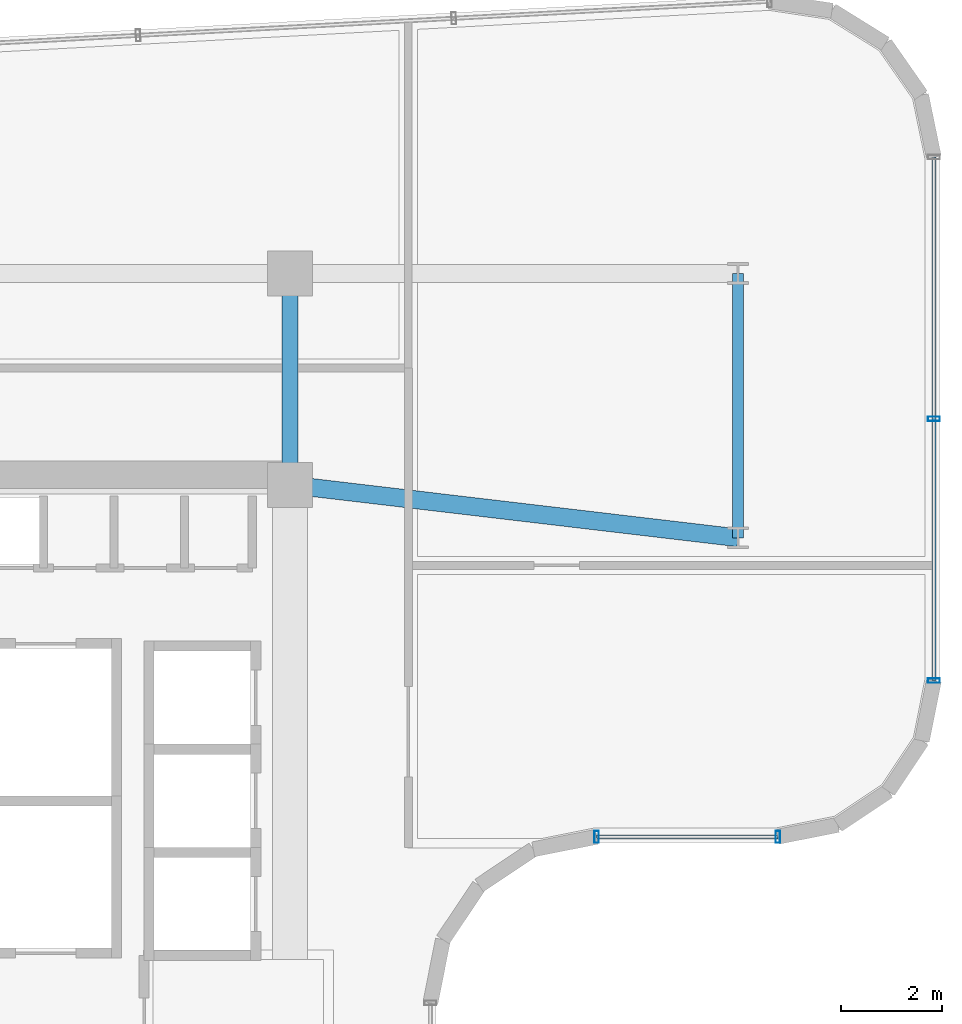
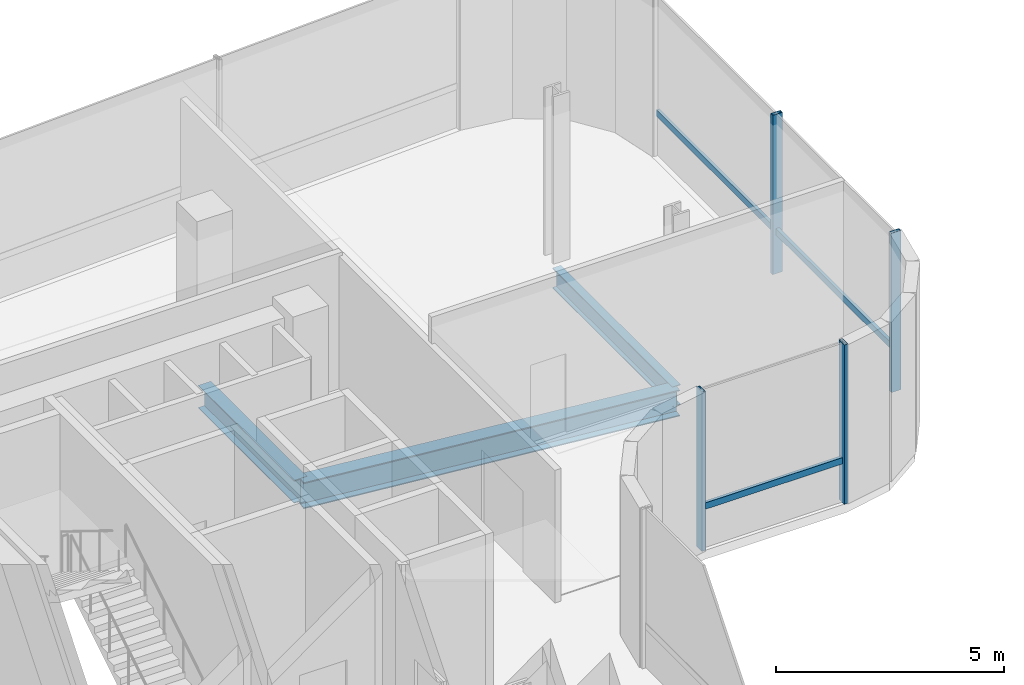
# One storey, part 8 of 17: 6 members, 3 beams, 2 elements without a shape of their own.
"""IFC4 building model written with IfcOpenShell, lengths in metres."""

from ifc_helpers import new_model, si_unit, direction, frame, origin, origin_2d, place, context, subcontext, project, spatial, hollow_rectangle, i_section, extrude, source, transform, mapped, material, material_profile, profile_set, type_object, element, aggregate, save


model = new_model("IFC4")

# Units and contexts
model_context = context("Model", 3, precision=1e-05, world=origin(), true_north=direction((0.0, 1.0)))
body_context = subcontext(model_context, "Body", "Model", "MODEL_VIEW")
ifc_project = project(units=[si_unit("LENGTHUNIT", "METRE"), si_unit("AREAUNIT", "SQUARE_METRE"), si_unit("VOLUMEUNIT", "CUBIC_METRE"), si_unit("PLANEANGLEUNIT", "RADIAN"), si_unit("MASSUNIT", "GRAM", prefix="KILO")], contexts=[model_context])

# Site, building, storey
site_placement = place(None, origin())
site = spatial("IfcSite", under=ifc_project, at=site_placement, CompositionType="ELEMENT")
building_placement = place(site_placement, origin())
building = spatial("IfcBuilding", under=site, at=building_placement, Name="Valdorenza Pilgrim Sanctuary Tower", CompositionType="ELEMENT")
storey_placement = place(building_placement, frame((0.0, 0.0, 201.0)))
storey = spatial("IfcBuildingStorey", under=building, at=storey_placement, Name="L51", CompositionType="ELEMENT", Elevation=201.0)

# Beams
ifc_material_1 = material(Name="Steel ASTM A992 Grade 50", Category="steel")
ifc_material_profile_1 = material_profile(ifc_material_1, i_section(OverallWidth=0.323974609375, OverallDepth=0.611083984375, WebThickness=0.0126953125, FlangeThickness=0.01904296875, at=origin_2d()), Name="W24X104")
ifc_profile_set_1 = profile_set([ifc_material_profile_1], Name="Steel ASTM A992 Grade 50")
beam_type_1 = type_object("IfcBeamType", Name="STR-BM-GRD-W24B", PredefinedType="BEAM", material=ifc_profile_set_1)
shared_shape_1 = source(origin(), body_context, "Body", "SweptSolid", [
    extrude(i_section(OverallWidth=0.323974609375, OverallDepth=0.611083984375, WebThickness=0.0126953125, FlangeThickness=0.01904296875, at=origin_2d()), origin(), (0.0, 0.0, 1.0), 4.199951171875),
])
beam_1_placement = place(storey_placement, frame((-12.39990234375, 10.60009765625, -0.54541015625), z_axis=(0.0, 1.0, 0.0), x_axis=(-1.0, 0.0, 0.0)))
element("IfcBeam", 1, at=beam_1_placement, inside=storey, type_object=beam_type_1, Name="L51 Core Tie Girder CA-E-N1N2", PredefinedType="BEAM", context=body_context, shape_type="MappedRepresentation", body=[
    mapped(shared_shape_1, transform((0.0, 0.0, 0.0), x_axis=(1.0, 0.0, 0.0), y_axis=(0.0, 1.0, 0.0), z_axis=(0.0, 0.0, 1.0), scale=1.0)),
])
ifc_material_profile_2 = material_profile(ifc_material_1, i_section(OverallWidth=0.2109375, OverallDepth=0.5390625, WebThickness=0.01171875, FlangeThickness=0.018798828125, at=origin_2d()), Name="W21X73")
ifc_profile_set_2 = profile_set([ifc_material_profile_2], Name="Steel ASTM A992 Grade 50")
beam_type_2 = type_object("IfcBeamType", Name="STR-BM-SPN-W21B", PredefinedType="SPANDREL", material=ifc_profile_set_2)
shared_shape_2 = source(origin(), body_context, "Body", "SweptSolid", [
    extrude(i_section(OverallWidth=0.2109375, OverallDepth=0.5390625, WebThickness=0.01171875, FlangeThickness=0.018798828125, at=origin_2d()), origin(), (0.0, 0.0, 1.0), 5.25),
])
beam_2_placement = place(storey_placement, frame((-3.5, 9.550048828125, -0.509521484375), z_axis=(0.0, 1.0, 0.0), x_axis=(-1.0, 0.0, 0.0)))
element("IfcBeam", 2, at=beam_2_placement, inside=storey, type_object=beam_type_2, Name="L51 Floor Girder UWA-KTIE", PredefinedType="SPANDREL", context=body_context, shape_type="MappedRepresentation", body=[
    mapped(shared_shape_2, transform((0.0, 0.0, 0.0), x_axis=(1.0, 0.0, 0.0), y_axis=(0.0, 1.0, 0.0), z_axis=(0.0, 0.0, 1.0), scale=1.0)),
])
ifc_material_profile_3 = material_profile(ifc_material_1, i_section(OverallWidth=0.35595703125, OverallDepth=0.700927734375, WebThickness=0.016845703125, FlangeThickness=0.02734375, at=origin_2d()), Name="W27X161")
ifc_profile_set_3 = profile_set([ifc_material_profile_3], Name="Steel ASTM A992 Grade 50")
beam_type_3 = type_object("IfcBeamType", Name="STR-BM-GRD-W27", PredefinedType="BEAM", material=ifc_profile_set_3)
shared_shape_3 = source(origin(), body_context, "Body", "SweptSolid", [
    extrude(i_section(OverallWidth=0.35595703125, OverallDepth=0.700927734375, WebThickness=0.016845703125, FlangeThickness=0.02734375, at=origin_2d()), origin(), (0.0, 0.0, 1.0), 8.961669921875),
])
beam_3_placement = place(storey_placement, frame((-12.39990234375, 10.60009765625, -0.590576171875), z_axis=(0.993111684121, -0.117171595803, 0.0), x_axis=(0.117171595803, 0.993111684121, 0.0)))
element("IfcBeam", 3, at=beam_3_placement, inside=storey, type_object=beam_type_3, Name="L51 Floor Girder UWA-KG1", PredefinedType="BEAM", context=body_context, shape_type="MappedRepresentation", body=[
    mapped(shared_shape_3, transform((0.0, 0.0, 0.0), x_axis=(1.0, 0.0, 0.0), y_axis=(0.0, 1.0, 0.0), z_axis=(0.0, 0.0, 1.0), scale=1.0)),
])

# Curtain wall, members
ifc_material_2 = material(Name="Curtain-wall IGU glazing", Category="glass")
curtain_wall_type = type_object("IfcCurtainWallType", Name="CW-SYS-04", PredefinedType="NOTDEFINED", material=ifc_material_2)
curtain_wall_1_placement = place(storey_placement, origin())
curtain_wall_1 = element("IfcCurtainWall", 4, at=curtain_wall_1_placement, inside=storey, type_object=curtain_wall_type, Name="L51 Curtain Wall CW-L51-1-11", PredefinedType="NOTDEFINED")
ifc_material_3 = material(Name="Anodised aluminium AW-6060", Category="aluminium")
ifc_material_profile_4 = material_profile(ifc_material_3, hollow_rectangle(XDim=0.090087890625, YDim=0.239990234375, WallThickness=0.0048828125, at=origin_2d()), Name="ALU-M 240x90x5")
ifc_profile_set_4 = profile_set([ifc_material_profile_4], Name="Anodised aluminium AW-6060")
member_type_1 = type_object("IfcMemberType", Name="CW-MUL-04", PredefinedType="MULLION", material=ifc_profile_set_4)
shared_shape_4 = source(origin(), body_context, "Body", "SweptSolid", [
    extrude(hollow_rectangle(XDim=0.090087890625, YDim=0.239990234375, WallThickness=0.0048828125, at=origin_2d()), origin(), (0.0, 0.0, 1.0), 4.260009765625),
])
member_1_placement = place(storey_placement, frame((0.389892578125, 11.9111328125, 0.0), z_axis=(0.0, 0.0, 1.0), x_axis=(0.0, -1.0, 0.0)))
member_1 = element("IfcMember", 5, at=member_1_placement, type_object=member_type_1, Name="CW-L51-1-11 Mullion 2", PredefinedType="MULLION", context=body_context, shape_type="MappedRepresentation", body=[
    mapped(shared_shape_4, transform((0.0, 0.0, 0.0), x_axis=(1.0, 0.0, 0.0), y_axis=(0.0, 1.0, 0.0), z_axis=(0.0, 0.0, 1.0), scale=1.0)),
])
member_2_placement = place(storey_placement, frame((0.389892578125, 6.710693359375, 0.0), z_axis=(0.0, 0.0, 1.0), x_axis=(0.0, -1.0, 0.0)))
member_2 = element("IfcMember", 6, at=member_2_placement, type_object=member_type_1, Name="CW-L51-1-11 Mullion 3", PredefinedType="MULLION", context=body_context, shape_type="MappedRepresentation", body=[
    mapped(shared_shape_4, transform((0.0, 0.0, 0.0), x_axis=(1.0, 0.0, 0.0), y_axis=(0.0, 1.0, 0.0), z_axis=(0.0, 0.0, 1.0), scale=1.0)),
])

curtain_wall_2_placement = place(storey_placement, origin())
curtain_wall_2 = element("IfcCurtainWall", 7, at=curtain_wall_2_placement, inside=storey, type_object=curtain_wall_type, Name="L51 Curtain Wall CW-L51-1-16", PredefinedType="NOTDEFINED")
member_3_placement = place(storey_placement, frame((-2.710693359375, 3.610107421875, 0.0), z_axis=(0.0, 0.0, 1.0), x_axis=(-1.0, 0.0, 0.0)))
member_3 = element("IfcMember", 8, at=member_3_placement, type_object=member_type_1, Name="CW-L51-1-16 Mullion 1", PredefinedType="MULLION", context=body_context, shape_type="MappedRepresentation", body=[
    mapped(shared_shape_4, transform((0.0, 0.0, 0.0), x_axis=(1.0, 0.0, 0.0), y_axis=(0.0, 1.0, 0.0), z_axis=(0.0, 0.0, 1.0), scale=1.0)),
])
member_4_placement = place(storey_placement, frame((-6.310791015625, 3.610107421875, 0.0), z_axis=(0.0, 0.0, 1.0), x_axis=(-1.0, 0.0, 0.0)))
member_4 = element("IfcMember", 9, at=member_4_placement, type_object=member_type_1, Name="CW-L51-1-16 Mullion 2", PredefinedType="MULLION", context=body_context, shape_type="MappedRepresentation", body=[
    mapped(shared_shape_4, transform((0.0, 0.0, 0.0), x_axis=(1.0, 0.0, 0.0), y_axis=(0.0, 1.0, 0.0), z_axis=(0.0, 0.0, 1.0), scale=1.0)),
])

# Member
ifc_material_profile_5 = material_profile(ifc_material_3, hollow_rectangle(XDim=0.080078125, YDim=0.169921875, WallThickness=0.00390625, at=origin_2d()), Name="ALU-T 170x80x4")
ifc_profile_set_5 = profile_set([ifc_material_profile_5], Name="Anodised aluminium AW-6060")
member_type_2 = type_object("IfcMemberType", Name="CW-TRN-04", PredefinedType="USERDEFINED", material=ifc_profile_set_5)
shared_shape_5 = source(origin(), body_context, "Body", "SweptSolid", [
    extrude(hollow_rectangle(XDim=0.080078125, YDim=0.169921875, WallThickness=0.00390625, at=origin_2d()), origin(), (0.0, 0.0, 1.0), 10.400634765625),
])
member_5_placement = place(storey_placement, frame((0.389892578125, 17.111328125, 1.1201171875), z_axis=(0.0, -1.0, 0.0), x_axis=(1.0, 0.0, 0.0)))
member_5 = element("IfcMember", 10, at=member_5_placement, type_object=member_type_2, Name="CW-L51-1-11 Transom 1", ObjectType="TRANSOM", PredefinedType="USERDEFINED", context=body_context, shape_type="MappedRepresentation", body=[
    mapped(shared_shape_5, transform((0.0, 0.0, 0.0), x_axis=(1.0, 0.0, 0.0), y_axis=(0.0, 1.0, 0.0), z_axis=(0.0, 0.0, 1.0), scale=1.0)),
])

aggregate(curtain_wall_1, [member_1, member_2, member_5])

shared_shape_6 = source(origin(), body_context, "Body", "SweptSolid", [
    extrude(hollow_rectangle(XDim=0.080078125, YDim=0.169921875, WallThickness=0.00390625, at=origin_2d()), origin(), (0.0, 0.0, 1.0), 3.60009765625),
])
member_6_placement = place(storey_placement, frame((-2.710693359375, 3.610107421875, 1.1201171875), z_axis=(-1.0, 0.0, 0.0), x_axis=(0.0, -1.0, 0.0)))
member_6 = element("IfcMember", 11, at=member_6_placement, type_object=member_type_2, Name="CW-L51-1-16 Transom 1", ObjectType="TRANSOM", PredefinedType="USERDEFINED", context=body_context, shape_type="MappedRepresentation", body=[
    mapped(shared_shape_6, transform((0.0, 0.0, 0.0), x_axis=(1.0, 0.0, 0.0), y_axis=(0.0, 1.0, 0.0), z_axis=(0.0, 0.0, 1.0), scale=1.0)),
])

aggregate(curtain_wall_2, [member_3, member_4, member_6])

save(model, "model.ifc")
